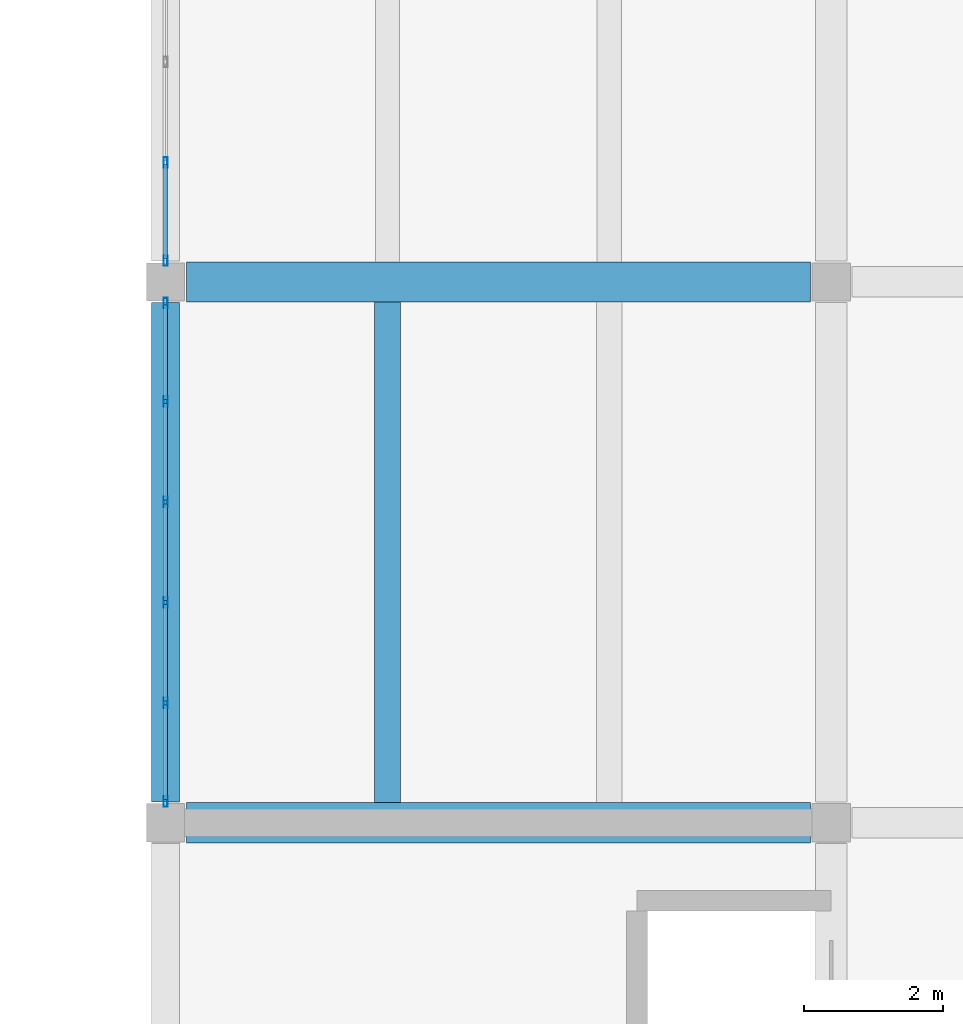
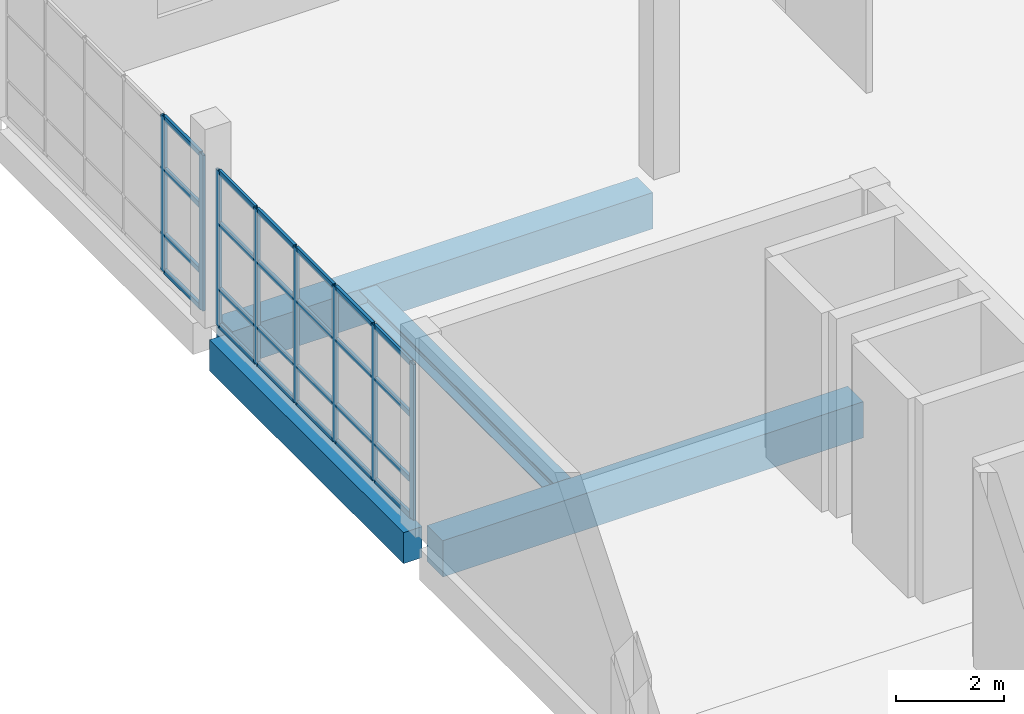
# One storey, part 22 of 67: 32 members, 4 beams, 2 elements without a shape of their own.
"""IFC4 building model written with IfcOpenShell, lengths in metres."""

from ifc_helpers import new_model, si_unit, direction, frame, origin, origin_2d, place, context, subcontext, project, spatial, rectangle, hollow_rectangle, i_section, extrude, material, material_profile, profile_set, type_object, element, aggregate, save


model = new_model("IFC4")

# Units and contexts
model_context = context("Model", 3, precision=1e-05, world=origin(), true_north=direction((0.0, 1.0)))
body_context = subcontext(model_context, "Body", "Model", "MODEL_VIEW")
ifc_project = project(units=[si_unit("LENGTHUNIT", "METRE"), si_unit("AREAUNIT", "SQUARE_METRE"), si_unit("VOLUMEUNIT", "CUBIC_METRE"), si_unit("PLANEANGLEUNIT", "RADIAN"), si_unit("MASSUNIT", "GRAM", prefix="KILO")], contexts=[model_context])

# Site, building, storey
site_placement = place(None, origin())
site = spatial("IfcSite", under=ifc_project, at=site_placement, CompositionType="ELEMENT")
building_placement = place(site_placement, origin())
building = spatial("IfcBuilding", under=site, at=building_placement, Name="Pellamere Symphony Hall", CompositionType="ELEMENT")
storey_placement = place(building_placement, frame((0.0, 0.0, 19.5)))
storey = spatial("IfcBuildingStorey", under=building, at=storey_placement, Name="L04", CompositionType="ELEMENT", Elevation=19.5)

# Curtain wall, members
ifc_material_1 = material(Name="Thermally Broken Anodised Aluminium 6063-T6 Curtain Wall", Category="aluminium")
curtain_wall_type = type_object("IfcCurtainWallType", Name="Curtain Wall CW-05 (Artists Wing North Studio Ribbon Curtain Wall)", PredefinedType="NOTDEFINED", material=ifc_material_1)
curtain_wall_1_placement = place(storey_placement, origin())
curtain_wall_1 = element("IfcCurtainWall", 1, at=curtain_wall_1_placement, inside=storey, type_object=curtain_wall_type, Name="Sculpture Court East Wing Curtain Wall (L04 Bay 1)", PredefinedType="NOTDEFINED")
ifc_material_2 = material(Name="Anodised Architectural Aluminium 6063-T6", Category="aluminium")
ifc_material_profile_1 = material_profile(ifc_material_2, hollow_rectangle(XDim=0.06005859375, YDim=0.14990234375, WallThickness=0.00390625, at=origin_2d()), Name="ALU-M60X150X4")
ifc_profile_set_1 = profile_set([ifc_material_profile_1], Name="Anodised Architectural Aluminium 6063-T6")
member_type_1 = type_object("IfcMemberType", Name="Curtain Wall Mullion ML-03 ALU-M60X150X4", PredefinedType="MULLION", material=ifc_profile_set_1)
member_1_placement = place(storey_placement, frame((138.0, 62.10498046875, 0.0), z_axis=(0.0, 0.0, 1.0), x_axis=(-1.0, 0.0, 0.0)))
member_1 = element("IfcMember", 2, at=member_1_placement, type_object=member_type_1, Name="CW5-146 crystal mullion 1", PredefinedType="MULLION", context=body_context, shape_type="SweptSolid", body=[
    extrude(hollow_rectangle(XDim=0.06005859375, YDim=0.14990234375, WallThickness=0.00390625, at=origin_2d()), origin(), (0.0, 0.0, 1.0), 3.52001953125),
])
member_2_placement = place(storey_placement, frame((138.0, 63.52490234375, 0.0), z_axis=(0.0, 0.0, 1.0), x_axis=(-1.0, 0.0, 0.0)))
member_2 = element("IfcMember", 3, at=member_2_placement, type_object=member_type_1, Name="CW5-146 crystal mullion 2", PredefinedType="MULLION", context=body_context, shape_type="SweptSolid", body=[
    extrude(hollow_rectangle(XDim=0.06005859375, YDim=0.14990234375, WallThickness=0.00390625, at=origin_2d()), origin(), (0.0, 0.0, 1.0), 3.52001953125),
])
member_3_placement = place(storey_placement, frame((138.0, 64.97509765625, 0.0), z_axis=(0.0, 0.0, 1.0), x_axis=(-1.0, 0.0, 0.0)))
member_3 = element("IfcMember", 4, at=member_3_placement, type_object=member_type_1, Name="CW5-146 crystal mullion 3", PredefinedType="MULLION", context=body_context, shape_type="SweptSolid", body=[
    extrude(hollow_rectangle(XDim=0.06005859375, YDim=0.14990234375, WallThickness=0.00390625, at=origin_2d()), origin(), (0.0, 0.0, 1.0), 3.52001953125),
])
member_4_placement = place(storey_placement, frame((138.0, 66.425048828125, 0.0), z_axis=(0.0, 0.0, 1.0), x_axis=(-1.0, 0.0, 0.0)))
member_4 = element("IfcMember", 5, at=member_4_placement, type_object=member_type_1, Name="CW5-146 crystal mullion 4", PredefinedType="MULLION", context=body_context, shape_type="SweptSolid", body=[
    extrude(hollow_rectangle(XDim=0.06005859375, YDim=0.14990234375, WallThickness=0.00390625, at=origin_2d()), origin(), (0.0, 0.0, 1.0), 3.52001953125),
])
member_5_placement = place(storey_placement, frame((138.0, 67.875, 0.0), z_axis=(0.0, 0.0, 1.0), x_axis=(-1.0, 0.0, 0.0)))
member_5 = element("IfcMember", 6, at=member_5_placement, type_object=member_type_1, Name="CW5-146 crystal mullion 5", PredefinedType="MULLION", context=body_context, shape_type="SweptSolid", body=[
    extrude(hollow_rectangle(XDim=0.06005859375, YDim=0.14990234375, WallThickness=0.00390625, at=origin_2d()), origin(), (0.0, 0.0, 1.0), 3.52001953125),
])
member_6_placement = place(storey_placement, frame((138.0, 69.294921875, 0.0), z_axis=(0.0, 0.0, 1.0), x_axis=(-1.0, 0.0, 0.0)))
member_6 = element("IfcMember", 7, at=member_6_placement, type_object=member_type_1, Name="CW5-146 crystal mullion 6", PredefinedType="MULLION", context=body_context, shape_type="SweptSolid", body=[
    extrude(hollow_rectangle(XDim=0.06005859375, YDim=0.14990234375, WallThickness=0.00390625, at=origin_2d()), origin(), (0.0, 0.0, 1.0), 3.52001953125),
])

curtain_wall_2_placement = place(storey_placement, origin())
curtain_wall_2 = element("IfcCurtainWall", 8, at=curtain_wall_2_placement, inside=storey, type_object=curtain_wall_type, Name="Sculpture Court East Wing Curtain Wall (L04 Bay 2)", PredefinedType="NOTDEFINED")
member_7_placement = place(storey_placement, frame((138.0, 69.905029296875, 0.0), z_axis=(0.0, 0.0, 1.0), x_axis=(-1.0, 0.0, 0.0)))
member_7 = element("IfcMember", 9, at=member_7_placement, type_object=member_type_1, Name="CW5-147 crystal mullion 1", PredefinedType="MULLION", context=body_context, shape_type="SweptSolid", body=[
    extrude(hollow_rectangle(XDim=0.06005859375, YDim=0.14990234375, WallThickness=0.00390625, at=origin_2d()), origin(), (0.0, 0.0, 1.0), 3.52001953125),
])
member_8_placement = place(storey_placement, frame((138.0, 71.324951171875, 0.0), z_axis=(0.0, 0.0, 1.0), x_axis=(-1.0, 0.0, 0.0)))
member_8 = element("IfcMember", 10, at=member_8_placement, type_object=member_type_1, Name="CW5-147 crystal mullion 2", PredefinedType="MULLION", context=body_context, shape_type="SweptSolid", body=[
    extrude(hollow_rectangle(XDim=0.06005859375, YDim=0.14990234375, WallThickness=0.00390625, at=origin_2d()), origin(), (0.0, 0.0, 1.0), 3.52001953125),
])

# Member
ifc_material_profile_2 = material_profile(ifc_material_2, hollow_rectangle(XDim=0.06005859375, YDim=0.1201171875, WallThickness=0.00390625, at=origin_2d()), Name="ALU-T60X120X4")
ifc_profile_set_2 = profile_set([ifc_material_profile_2], Name="Anodised Architectural Aluminium 6063-T6")
member_type_2 = type_object("IfcMemberType", Name="Curtain Wall Transom TR-03 ALU-T60X120X4", PredefinedType="USERDEFINED", material=ifc_profile_set_2)
member_9_placement = place(storey_placement, frame((138.0, 62.135009765625, 0.030029296875), z_axis=(0.0, 1.0, 0.0), x_axis=(-1.0, 0.0, 0.0)))
member_9 = element("IfcMember", 11, at=member_9_placement, type_object=member_type_2, Name="CW5-146 crystal transom 1.1", ObjectType="TRANSOM", PredefinedType="USERDEFINED", context=body_context, shape_type="SweptSolid", body=[
    extrude(hollow_rectangle(XDim=0.06005859375, YDim=0.1201171875, WallThickness=0.00390625, at=origin_2d()), origin(), (0.0, 0.0, 1.0), 1.360107421875),
])

member_10_placement = place(storey_placement, frame((138.0, 62.135009765625, 0.8447265625), z_axis=(0.0, 1.0, 0.0), x_axis=(-1.0, 0.0, 0.0)))
member_10 = element("IfcMember", 12, at=member_10_placement, type_object=member_type_2, Name="CW5-146 crystal transom 1.2", ObjectType="TRANSOM", PredefinedType="USERDEFINED", context=body_context, shape_type="SweptSolid", body=[
    extrude(hollow_rectangle(XDim=0.06005859375, YDim=0.1201171875, WallThickness=0.00390625, at=origin_2d()), origin(), (0.0, 0.0, 1.0), 1.360107421875),
])

member_11_placement = place(storey_placement, frame((138.0, 62.135009765625, 2.3232421875), z_axis=(0.0, 1.0, 0.0), x_axis=(-1.0, 0.0, 0.0)))
member_11 = element("IfcMember", 13, at=member_11_placement, type_object=member_type_2, Name="CW5-146 crystal transom 1.3", ObjectType="TRANSOM", PredefinedType="USERDEFINED", context=body_context, shape_type="SweptSolid", body=[
    extrude(hollow_rectangle(XDim=0.06005859375, YDim=0.1201171875, WallThickness=0.00390625, at=origin_2d()), origin(), (0.0, 0.0, 1.0), 1.360107421875),
])

member_12_placement = place(storey_placement, frame((138.0, 62.135009765625, 3.489990234375), z_axis=(0.0, 1.0, 0.0), x_axis=(-1.0, 0.0, 0.0)))
member_12 = element("IfcMember", 14, at=member_12_placement, type_object=member_type_2, Name="CW5-146 crystal transom 1.4", ObjectType="TRANSOM", PredefinedType="USERDEFINED", context=body_context, shape_type="SweptSolid", body=[
    extrude(hollow_rectangle(XDim=0.06005859375, YDim=0.1201171875, WallThickness=0.00390625, at=origin_2d()), origin(), (0.0, 0.0, 1.0), 1.360107421875),
])

member_13_placement = place(storey_placement, frame((138.0, 63.554931640625, 0.030029296875), z_axis=(0.0, 1.0, 0.0), x_axis=(-1.0, 0.0, 0.0)))
member_13 = element("IfcMember", 15, at=member_13_placement, type_object=member_type_2, Name="CW5-146 crystal transom 2.1", ObjectType="TRANSOM", PredefinedType="USERDEFINED", context=body_context, shape_type="SweptSolid", body=[
    extrude(hollow_rectangle(XDim=0.06005859375, YDim=0.1201171875, WallThickness=0.00390625, at=origin_2d()), origin(), (0.0, 0.0, 1.0), 1.39013671875),
])

member_14_placement = place(storey_placement, frame((138.0, 63.554931640625, 0.8447265625), z_axis=(0.0, 1.0, 0.0), x_axis=(-1.0, 0.0, 0.0)))
member_14 = element("IfcMember", 16, at=member_14_placement, type_object=member_type_2, Name="CW5-146 crystal transom 2.2", ObjectType="TRANSOM", PredefinedType="USERDEFINED", context=body_context, shape_type="SweptSolid", body=[
    extrude(hollow_rectangle(XDim=0.06005859375, YDim=0.1201171875, WallThickness=0.00390625, at=origin_2d()), origin(), (0.0, 0.0, 1.0), 1.39013671875),
])

member_15_placement = place(storey_placement, frame((138.0, 63.554931640625, 2.3232421875), z_axis=(0.0, 1.0, 0.0), x_axis=(-1.0, 0.0, 0.0)))
member_15 = element("IfcMember", 17, at=member_15_placement, type_object=member_type_2, Name="CW5-146 crystal transom 2.3", ObjectType="TRANSOM", PredefinedType="USERDEFINED", context=body_context, shape_type="SweptSolid", body=[
    extrude(hollow_rectangle(XDim=0.06005859375, YDim=0.1201171875, WallThickness=0.00390625, at=origin_2d()), origin(), (0.0, 0.0, 1.0), 1.39013671875),
])

member_16_placement = place(storey_placement, frame((138.0, 63.554931640625, 3.489990234375), z_axis=(0.0, 1.0, 0.0), x_axis=(-1.0, 0.0, 0.0)))
member_16 = element("IfcMember", 18, at=member_16_placement, type_object=member_type_2, Name="CW5-146 crystal transom 2.4", ObjectType="TRANSOM", PredefinedType="USERDEFINED", context=body_context, shape_type="SweptSolid", body=[
    extrude(hollow_rectangle(XDim=0.06005859375, YDim=0.1201171875, WallThickness=0.00390625, at=origin_2d()), origin(), (0.0, 0.0, 1.0), 1.39013671875),
])

member_17_placement = place(storey_placement, frame((138.0, 65.0048828125, 0.030029296875), z_axis=(0.0, 1.0, 0.0), x_axis=(-1.0, 0.0, 0.0)))
member_17 = element("IfcMember", 19, at=member_17_placement, type_object=member_type_2, Name="CW5-146 crystal transom 3.1", ObjectType="TRANSOM", PredefinedType="USERDEFINED", context=body_context, shape_type="SweptSolid", body=[
    extrude(hollow_rectangle(XDim=0.06005859375, YDim=0.1201171875, WallThickness=0.00390625, at=origin_2d()), origin(), (0.0, 0.0, 1.0), 1.39013671875),
])

member_18_placement = place(storey_placement, frame((138.0, 65.0048828125, 0.8447265625), z_axis=(0.0, 1.0, 0.0), x_axis=(-1.0, 0.0, 0.0)))
member_18 = element("IfcMember", 20, at=member_18_placement, type_object=member_type_2, Name="CW5-146 crystal transom 3.2", ObjectType="TRANSOM", PredefinedType="USERDEFINED", context=body_context, shape_type="SweptSolid", body=[
    extrude(hollow_rectangle(XDim=0.06005859375, YDim=0.1201171875, WallThickness=0.00390625, at=origin_2d()), origin(), (0.0, 0.0, 1.0), 1.39013671875),
])

member_19_placement = place(storey_placement, frame((138.0, 65.0048828125, 2.3232421875), z_axis=(0.0, 1.0, 0.0), x_axis=(-1.0, 0.0, 0.0)))
member_19 = element("IfcMember", 21, at=member_19_placement, type_object=member_type_2, Name="CW5-146 crystal transom 3.3", ObjectType="TRANSOM", PredefinedType="USERDEFINED", context=body_context, shape_type="SweptSolid", body=[
    extrude(hollow_rectangle(XDim=0.06005859375, YDim=0.1201171875, WallThickness=0.00390625, at=origin_2d()), origin(), (0.0, 0.0, 1.0), 1.39013671875),
])

member_20_placement = place(storey_placement, frame((138.0, 65.0048828125, 3.489990234375), z_axis=(0.0, 1.0, 0.0), x_axis=(-1.0, 0.0, 0.0)))
member_20 = element("IfcMember", 22, at=member_20_placement, type_object=member_type_2, Name="CW5-146 crystal transom 3.4", ObjectType="TRANSOM", PredefinedType="USERDEFINED", context=body_context, shape_type="SweptSolid", body=[
    extrude(hollow_rectangle(XDim=0.06005859375, YDim=0.1201171875, WallThickness=0.00390625, at=origin_2d()), origin(), (0.0, 0.0, 1.0), 1.39013671875),
])

member_21_placement = place(storey_placement, frame((138.0, 66.455078125, 0.030029296875), z_axis=(0.0, 1.0, 0.0), x_axis=(-1.0, 0.0, 0.0)))
member_21 = element("IfcMember", 23, at=member_21_placement, type_object=member_type_2, Name="CW5-146 crystal transom 4.1", ObjectType="TRANSOM", PredefinedType="USERDEFINED", context=body_context, shape_type="SweptSolid", body=[
    extrude(hollow_rectangle(XDim=0.06005859375, YDim=0.1201171875, WallThickness=0.00390625, at=origin_2d()), origin(), (0.0, 0.0, 1.0), 1.389892578125),
])

member_22_placement = place(storey_placement, frame((138.0, 66.455078125, 0.8447265625), z_axis=(0.0, 1.0, 0.0), x_axis=(-1.0, 0.0, 0.0)))
member_22 = element("IfcMember", 24, at=member_22_placement, type_object=member_type_2, Name="CW5-146 crystal transom 4.2", ObjectType="TRANSOM", PredefinedType="USERDEFINED", context=body_context, shape_type="SweptSolid", body=[
    extrude(hollow_rectangle(XDim=0.06005859375, YDim=0.1201171875, WallThickness=0.00390625, at=origin_2d()), origin(), (0.0, 0.0, 1.0), 1.389892578125),
])

member_23_placement = place(storey_placement, frame((138.0, 66.455078125, 2.3232421875), z_axis=(0.0, 1.0, 0.0), x_axis=(-1.0, 0.0, 0.0)))
member_23 = element("IfcMember", 25, at=member_23_placement, type_object=member_type_2, Name="CW5-146 crystal transom 4.3", ObjectType="TRANSOM", PredefinedType="USERDEFINED", context=body_context, shape_type="SweptSolid", body=[
    extrude(hollow_rectangle(XDim=0.06005859375, YDim=0.1201171875, WallThickness=0.00390625, at=origin_2d()), origin(), (0.0, 0.0, 1.0), 1.389892578125),
])

member_24_placement = place(storey_placement, frame((138.0, 66.455078125, 3.489990234375), z_axis=(0.0, 1.0, 0.0), x_axis=(-1.0, 0.0, 0.0)))
member_24 = element("IfcMember", 26, at=member_24_placement, type_object=member_type_2, Name="CW5-146 crystal transom 4.4", ObjectType="TRANSOM", PredefinedType="USERDEFINED", context=body_context, shape_type="SweptSolid", body=[
    extrude(hollow_rectangle(XDim=0.06005859375, YDim=0.1201171875, WallThickness=0.00390625, at=origin_2d()), origin(), (0.0, 0.0, 1.0), 1.389892578125),
])

member_25_placement = place(storey_placement, frame((138.0, 67.905029296875, 0.030029296875), z_axis=(0.0, 1.0, 0.0), x_axis=(-1.0, 0.0, 0.0)))
member_25 = element("IfcMember", 27, at=member_25_placement, type_object=member_type_2, Name="CW5-146 crystal transom 5.1", ObjectType="TRANSOM", PredefinedType="USERDEFINED", context=body_context, shape_type="SweptSolid", body=[
    extrude(hollow_rectangle(XDim=0.06005859375, YDim=0.1201171875, WallThickness=0.00390625, at=origin_2d()), origin(), (0.0, 0.0, 1.0), 1.35986328125),
])

member_26_placement = place(storey_placement, frame((138.0, 67.905029296875, 0.8447265625), z_axis=(0.0, 1.0, 0.0), x_axis=(-1.0, 0.0, 0.0)))
member_26 = element("IfcMember", 28, at=member_26_placement, type_object=member_type_2, Name="CW5-146 crystal transom 5.2", ObjectType="TRANSOM", PredefinedType="USERDEFINED", context=body_context, shape_type="SweptSolid", body=[
    extrude(hollow_rectangle(XDim=0.06005859375, YDim=0.1201171875, WallThickness=0.00390625, at=origin_2d()), origin(), (0.0, 0.0, 1.0), 1.35986328125),
])

member_27_placement = place(storey_placement, frame((138.0, 67.905029296875, 2.3232421875), z_axis=(0.0, 1.0, 0.0), x_axis=(-1.0, 0.0, 0.0)))
member_27 = element("IfcMember", 29, at=member_27_placement, type_object=member_type_2, Name="CW5-146 crystal transom 5.3", ObjectType="TRANSOM", PredefinedType="USERDEFINED", context=body_context, shape_type="SweptSolid", body=[
    extrude(hollow_rectangle(XDim=0.06005859375, YDim=0.1201171875, WallThickness=0.00390625, at=origin_2d()), origin(), (0.0, 0.0, 1.0), 1.35986328125),
])

member_28_placement = place(storey_placement, frame((138.0, 67.905029296875, 3.489990234375), z_axis=(0.0, 1.0, 0.0), x_axis=(-1.0, 0.0, 0.0)))
member_28 = element("IfcMember", 30, at=member_28_placement, type_object=member_type_2, Name="CW5-146 crystal transom 5.4", ObjectType="TRANSOM", PredefinedType="USERDEFINED", context=body_context, shape_type="SweptSolid", body=[
    extrude(hollow_rectangle(XDim=0.06005859375, YDim=0.1201171875, WallThickness=0.00390625, at=origin_2d()), origin(), (0.0, 0.0, 1.0), 1.35986328125),
])

aggregate(curtain_wall_1, [member_1, member_2, member_3, member_4, member_5, member_6, member_9, member_10, member_11, member_12, member_13, member_14, member_15, member_16, member_17, member_18, member_19, member_20, member_21, member_22, member_23, member_24, member_25, member_26, member_27, member_28])

member_29_placement = place(storey_placement, frame((138.0, 69.93505859375, 0.030029296875), z_axis=(0.0, 1.0, 0.0), x_axis=(-1.0, 0.0, 0.0)))
member_29 = element("IfcMember", 31, at=member_29_placement, type_object=member_type_2, Name="CW5-147 crystal transom 1.1", ObjectType="TRANSOM", PredefinedType="USERDEFINED", context=body_context, shape_type="SweptSolid", body=[
    extrude(hollow_rectangle(XDim=0.06005859375, YDim=0.1201171875, WallThickness=0.00390625, at=origin_2d()), origin(), (0.0, 0.0, 1.0), 1.35986328125),
])

member_30_placement = place(storey_placement, frame((138.0, 69.93505859375, 0.8447265625), z_axis=(0.0, 1.0, 0.0), x_axis=(-1.0, 0.0, 0.0)))
member_30 = element("IfcMember", 32, at=member_30_placement, type_object=member_type_2, Name="CW5-147 crystal transom 1.2", ObjectType="TRANSOM", PredefinedType="USERDEFINED", context=body_context, shape_type="SweptSolid", body=[
    extrude(hollow_rectangle(XDim=0.06005859375, YDim=0.1201171875, WallThickness=0.00390625, at=origin_2d()), origin(), (0.0, 0.0, 1.0), 1.35986328125),
])

member_31_placement = place(storey_placement, frame((138.0, 69.93505859375, 2.3232421875), z_axis=(0.0, 1.0, 0.0), x_axis=(-1.0, 0.0, 0.0)))
member_31 = element("IfcMember", 33, at=member_31_placement, type_object=member_type_2, Name="CW5-147 crystal transom 1.3", ObjectType="TRANSOM", PredefinedType="USERDEFINED", context=body_context, shape_type="SweptSolid", body=[
    extrude(hollow_rectangle(XDim=0.06005859375, YDim=0.1201171875, WallThickness=0.00390625, at=origin_2d()), origin(), (0.0, 0.0, 1.0), 1.35986328125),
])

member_32_placement = place(storey_placement, frame((138.0, 69.93505859375, 3.489990234375), z_axis=(0.0, 1.0, 0.0), x_axis=(-1.0, 0.0, 0.0)))
member_32 = element("IfcMember", 34, at=member_32_placement, type_object=member_type_2, Name="CW5-147 crystal transom 1.4", ObjectType="TRANSOM", PredefinedType="USERDEFINED", context=body_context, shape_type="SweptSolid", body=[
    extrude(hollow_rectangle(XDim=0.06005859375, YDim=0.1201171875, WallThickness=0.00390625, at=origin_2d()), origin(), (0.0, 0.0, 1.0), 1.35986328125),
])

aggregate(curtain_wall_2, [member_7, member_8, member_29, member_30, member_31, member_32])

# Beams
ifc_material_3 = material(Name="Concrete 40 MPa", Category="concrete")
ifc_material_profile_3 = material_profile(ifc_material_3, rectangle(XDim=0.39990234375, YDim=0.699951171875, at=origin_2d()), Name="RC 400x700")
ifc_profile_set_3 = profile_set([ifc_material_profile_3], Name="Concrete 40 MPa")
beam_type_1 = type_object("IfcBeamType", Name="RC CB-13 400x700", PredefinedType="SPANDREL", material=ifc_profile_set_3)
beam_1_placement = place(storey_placement, frame((138.0, 62.10009765625, -0.610107421875), z_axis=(0.0, 1.0, 0.0), x_axis=(-1.0, 0.0, 0.0)))
element("IfcBeam", 35, at=beam_1_placement, inside=storey, type_object=beam_type_1, Name="Girder CB-13-Y1913 (L04)", PredefinedType="SPANDREL", context=body_context, shape_type="SweptSolid", body=[
    extrude(rectangle(XDim=0.39990234375, YDim=0.699951171875, at=origin_2d()), origin(), (0.0, 0.0, 1.0), 7.199951171875),
])
ifc_material_profile_4 = material_profile(ifc_material_3, rectangle(XDim=0.580078125, YDim=0.820068359375, at=origin_2d()), Name="RC 580x820")
ifc_profile_set_4 = profile_set([ifc_material_profile_4], Name="Concrete 40 MPa")
beam_type_2 = type_object("IfcBeamType", Name="RC CB-15 580x820", PredefinedType="BEAM", material=ifc_profile_set_4)
for number, where, z_axis, x_axis, name in (
    (36, (138.300048828125, 61.800048828125, -0.669921875), (1.0, 0.0, 0.0), (0.0, 1.0, 0.0), "Girder CB-15-X1850 (L04)"),
    (37, (138.300048828125, 69.60009765625, -0.669921875), (1.0, 0.0, 0.0), (0.0, 1.0, 0.0), "Girder CB-15-X1855 (L04)"),
):
    element("IfcBeam", number, at=place(storey_placement, frame(where, z_axis=z_axis, x_axis=x_axis)), inside=storey, type_object=beam_type_2, Name=name, PredefinedType="BEAM", context=body_context, shape_type="SweptSolid", body=[
        extrude(rectangle(XDim=0.580078125, YDim=0.820068359375, at=origin_2d()), origin(), (0.0, 0.0, 1.0), 9.0),
    ])
ifc_material_4 = material(Name="Steel CSA G40.21 350W", Category="steel")
ifc_material_profile_5 = material_profile(ifc_material_4, i_section(OverallWidth=0.368896484375, OverallDepth=0.35595703125, WebThickness=0.01123046875, FlangeThickness=0.01806640625, at=origin_2d()), Name="W360X134")
ifc_profile_set_5 = profile_set([ifc_material_profile_5], Name="Steel CSA G40.21 350W")
beam_type_3 = type_object("IfcBeamType", Name="Steel Beam SB-28 W360X134", PredefinedType="BEAM", material=ifc_profile_set_5)
beam_2_placement = place(storey_placement, frame((141.199951171875, 62.090087890625, -0.452880859375), z_axis=(0.0, 1.0, 0.0), x_axis=(-1.0, 0.0, 0.0)))
element("IfcBeam", 38, at=beam_2_placement, inside=storey, type_object=beam_type_3, Name="Secondary Floor Beam SB-28-A1708 (L04)", PredefinedType="BEAM", context=body_context, shape_type="SweptSolid", body=[
    extrude(i_section(OverallWidth=0.368896484375, OverallDepth=0.35595703125, WebThickness=0.01123046875, FlangeThickness=0.01806640625, at=origin_2d()), origin(), (0.0, 0.0, 1.0), 7.219970703125),
])

save(model, "model.ifc")
